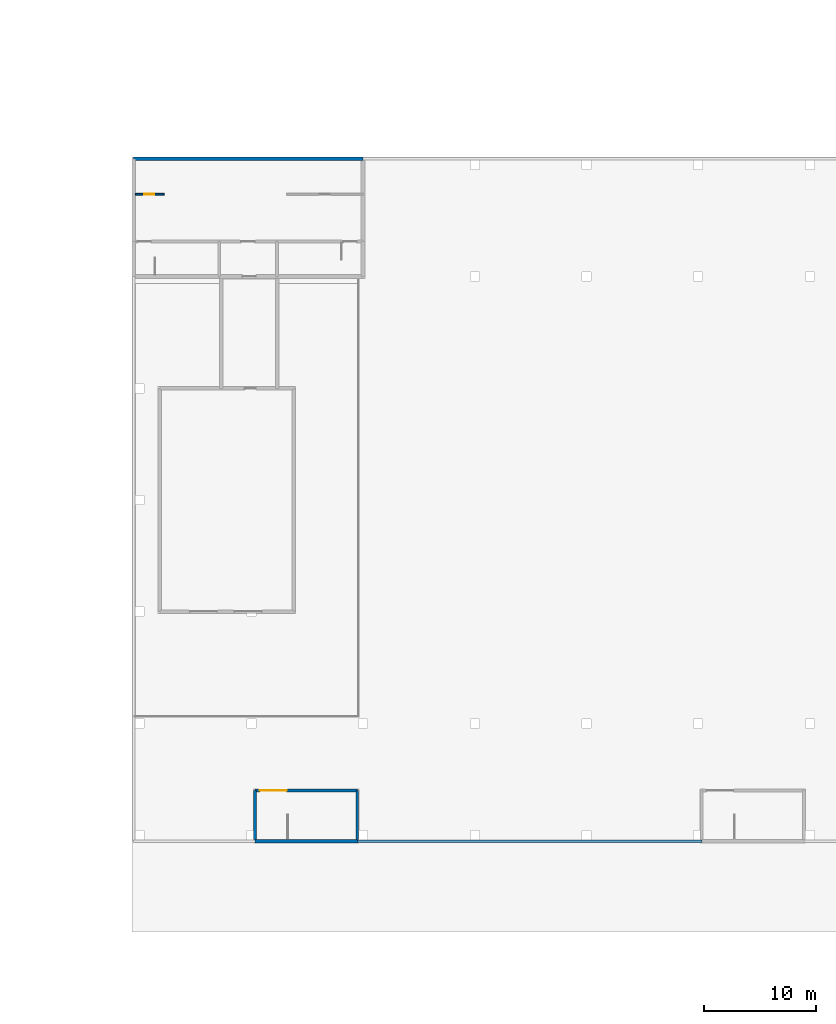
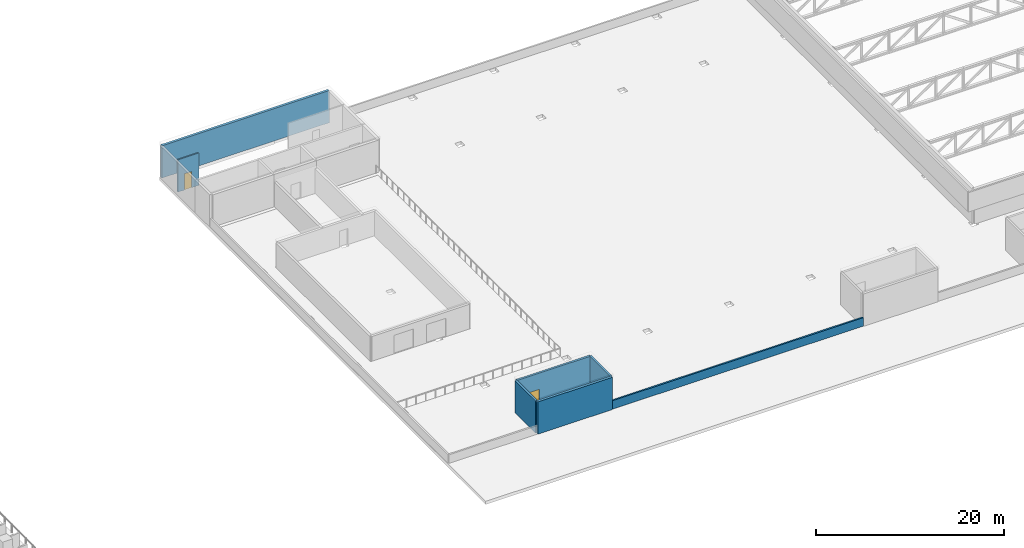
# One storey, part 22 of 31: 7 walls, 2 doors, 2 openings.
"""IFC4 building model written with IfcOpenShell, lengths in metres."""

from ifc_helpers import new_model, si_unit, direction, frame, frame_2d, origin, place, context, subcontext, project, spatial, rectangle, extrude, material, layer, layer_set, type_object, element, fill, save


model = new_model("IFC4")

# Units and contexts
model_context = context("Model", 3, precision=1e-05, world=origin(), true_north=direction((0.0, 1.0)))
body_context = subcontext(model_context, "Body", "Model", "MODEL_VIEW")
ifc_project = project(units=[si_unit("LENGTHUNIT", "METRE"), si_unit("AREAUNIT", "SQUARE_METRE"), si_unit("VOLUMEUNIT", "CUBIC_METRE"), si_unit("PLANEANGLEUNIT", "RADIAN"), si_unit("MASSUNIT", "GRAM", prefix="KILO")], contexts=[model_context])

# Site, building, storey
site_placement = place(None, origin())
site = spatial("IfcSite", under=ifc_project, at=site_placement, CompositionType="ELEMENT")
building_placement = place(site_placement, origin())
building = spatial("IfcBuilding", under=site, at=building_placement, Name="Jabali Bay Hotel Tower and Convention Centre", CompositionType="ELEMENT")
storey_placement = place(building_placement, frame((0.0, 0.0, 25.39990234375)))
storey = spatial("IfcBuildingStorey", under=building, at=storey_placement, Name="L04", CompositionType="ELEMENT", Elevation=25.39990234375)

# Walls
ifc_material_1 = material(Name="Concrete C40", Category="concrete")
ifc_layer_1 = layer(ifc_material_1, 0.300048828125)
ifc_layer_set_1 = layer_set([ifc_layer_1], Name="Concrete C40")
wall_type_1 = type_object("IfcWallType", Name="CC External Wall 300", PredefinedType="SOLIDWALL", material=ifc_layer_set_1)
wall_1_placement = place(storey_placement, frame((150.14990234375, 110.550048828125, 0.0), z_axis=(0.0, 0.0, 1.0), x_axis=(1.0, 0.0, 0.0)))
element("IfcWall", 1, at=wall_1_placement, inside=storey, type_object=wall_type_1, Name="CC wall 141", PredefinedType="SOLIDWALL", context=body_context, shape_type="SweptSolid", body=[
    extrude(rectangle(XDim=20.550048828125, YDim=0.300048828125, at=frame_2d((10.27490234375, 0.0))), origin(), (0.0, 0.0, 1.0), 4.190185546875),
])
wall_2_placement = place(storey_placement, frame((161.02490234375, 49.449951171875, 0.0), z_axis=(0.0, 0.0, 1.0), x_axis=(1.0, 0.0, 0.0)))
element("IfcWall", 2, at=wall_2_placement, inside=storey, type_object=wall_type_1, Name="CC wall 242", PredefinedType="SOLIDWALL", context=body_context, shape_type="SweptSolid", body=[
    extrude(rectangle(XDim=9.150146484375, YDim=0.300048828125, at=frame_2d((4.5751953125, 0.0))), origin(), (0.0, 0.0, 1.0), 4.190185546875),
])
ifc_layer_2 = layer(ifc_material_1, 0.199951171875)
ifc_layer_set_2 = layer_set([ifc_layer_2], Name="Concrete C40")
wall_type_2 = type_object("IfcWallType", Name="CC Parapet 200", PredefinedType="PARAPET", material=ifc_layer_set_2)
wall_3_placement = place(storey_placement, frame((170.175048828125, 49.449951171875, 0.0), z_axis=(0.0, 0.0, 1.0), x_axis=(1.0, 0.0, 0.0)))
element("IfcWall", 3, at=wall_3_placement, inside=storey, type_object=wall_type_2, Name="CC roof parapet", PredefinedType="PARAPET", context=body_context, shape_type="SweptSolid", body=[
    extrude(rectangle(XDim=30.849853515625, YDim=0.199951171875, at=frame_2d((15.4248046875, 0.0))), origin(), (0.0, 0.0, 1.0), 1.10009765625),
])

# Wall, opening, door
ifc_material_2 = material(Name="Blockwork M10", Category="masonry")
ifc_layer_3 = layer(ifc_material_2, 0.14990234375)
ifc_layer_set_3 = layer_set([ifc_layer_3], Name="Blockwork M10")
wall_type_3 = type_object("IfcWallType", Name="CC Partition 150", PredefinedType="PARTITIONING", material=ifc_layer_set_3)
wall_4_placement = place(storey_placement, frame((150.300048828125, 107.375, 0.0), z_axis=(0.0, 0.0, 1.0), x_axis=(1.0, 0.0, 0.0)))
wall_4 = element("IfcWall", 4, at=wall_4_placement, inside=storey, type_object=wall_type_3, Name="CC wall 169", PredefinedType="PARTITIONING", context=body_context, shape_type="SweptSolid", body=[
    extrude(rectangle(XDim=2.574951171875, YDim=0.14990234375, at=frame_2d((1.28759765625, 0.0))), origin(), (0.0, 0.0, 1.0), 4.190185546875),
])
opening_1_placement = place(wall_4_placement, frame((0.800048828125, 0.0, 0.0)))
opening_1 = element("IfcOpeningElement", 5, at=opening_1_placement, cuts=wall_4, Name="Opening CC-D171", PredefinedType="OPENING", context=body_context, shape_type="SweptSolid", body=[
    extrude(rectangle(XDim=0.89990234375, YDim=2.10009765625, at=frame_2d((0.449951171875, 1.050048828125))), frame((0.0, 0.08544921875, 0.0), z_axis=(0.0, -1.0, 0.0), x_axis=(1.0, 0.0, 0.0)), (0.0, 0.0, 1.0), 0.1708984375),
])
ifc_material_3 = material(Name="Timber and steel door set", Category="steel")
door_type_1 = type_object("IfcDoorType", Name="CC Riser Door 900x2100", OperationType="NOTDEFINED", PredefinedType="DOOR", material=ifc_material_3)
door_1_placement = place(opening_1_placement, origin())
door_1 = element("IfcDoor", 6, at=door_1_placement, inside=storey, type_object=door_type_1, Name="CC door CC-D171", OperationType="SINGLE_SWING_LEFT", OverallHeight=2.10009765625, OverallWidth=0.89990234375, PredefinedType="DOOR", context=body_context, shape_type="SweptSolid", body=[
    extrude(rectangle(XDim=0.89990234375, YDim=2.10009765625, at=frame_2d((0.449951171875, 1.050048828125))), frame((0.0, 0.02490234375, 0.0), z_axis=(0.0, -1.0, 0.0), x_axis=(1.0, 0.0, 0.0)), (0.0, 0.0, 1.0), 0.050048828125),
])
fill(opening_1, door_1)

ifc_layer_4 = layer(ifc_material_1, 0.25)
ifc_layer_set_4 = layer_set([ifc_layer_4], Name="Concrete C40")
wall_type_4 = type_object("IfcWallType", Name="CC Shaft Wall 250", PredefinedType="SHEAR", material=ifc_layer_set_4)
wall_5_placement = place(storey_placement, frame((161.02490234375, 53.97509765625, 0.0), z_axis=(0.0, 0.0, 1.0), x_axis=(1.0, 0.0, 0.0)))
wall_5 = element("IfcWall", 7, at=wall_5_placement, inside=storey, type_object=wall_type_4, Name="CC wall 243", PredefinedType="SHEAR", context=body_context, shape_type="SweptSolid", body=[
    extrude(rectangle(XDim=9.150146484375, YDim=0.25, at=frame_2d((4.5751953125, 0.0))), origin(), (0.0, 0.0, 1.0), 4.190185546875),
])
opening_2_placement = place(wall_5_placement, frame((0.425048828125, 0.0, 0.0)))
opening_2 = element("IfcOpeningElement", 8, at=opening_2_placement, cuts=wall_5, Name="Opening CC-D217", PredefinedType="OPENING", context=body_context, shape_type="SweptSolid", body=[
    extrude(rectangle(XDim=2.39990234375, YDim=2.10009765625, at=frame_2d((1.199951171875, 1.050048828125))), frame((0.0, 0.135498046875, 0.0), z_axis=(0.0, -1.0, 0.0), x_axis=(1.0, 0.0, 0.0)), (0.0, 0.0, 1.0), 0.27099609375),
])
door_type_2 = type_object("IfcDoorType", Name="CC Stair Door Pair 2400x2100", OperationType="NOTDEFINED", PredefinedType="DOOR", material=ifc_material_3)
door_2_placement = place(opening_2_placement, origin())
door_2 = element("IfcDoor", 9, at=door_2_placement, inside=storey, type_object=door_type_2, Name="CC door CC-D217", OperationType="DOUBLE_DOOR_SINGLE_SWING", OverallHeight=2.10009765625, OverallWidth=2.39990234375, PredefinedType="DOOR", context=body_context, shape_type="SweptSolid", body=[
    extrude(rectangle(XDim=2.39990234375, YDim=2.10009765625, at=frame_2d((1.199951171875, 1.050048828125))), frame((0.0, 0.02490234375, 0.0), z_axis=(0.0, -1.0, 0.0), x_axis=(1.0, 0.0, 0.0)), (0.0, 0.0, 1.0), 0.050048828125),
])
fill(opening_2, door_2)

# Walls
for number, where, z_axis, x_axis, name in (
    (10, (161.02490234375, 49.60009765625, 0.0), (0.0, 0.0, 1.0), (0.0, 1.0, 0.0), "CC wall 244"),
    (11, (170.175048828125, 49.60009765625, 0.0), (0.0, 0.0, 1.0), (0.0, 1.0, 0.0), "CC wall 245"),
):
    element("IfcWall", number, at=place(storey_placement, frame(where, z_axis=z_axis, x_axis=x_axis)), inside=storey, type_object=wall_type_4, Name=name, PredefinedType="SHEAR", context=body_context, shape_type="SweptSolid", body=[
        extrude(rectangle(XDim=4.375, YDim=0.25, at=frame_2d((2.1875, 0.0))), origin(), (0.0, 0.0, 1.0), 4.190185546875),
    ])

save(model, "model.ifc")
